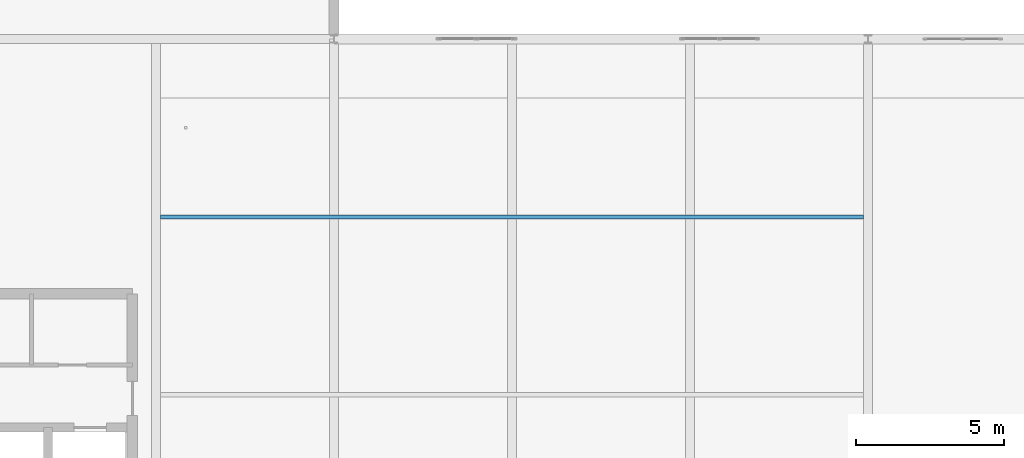
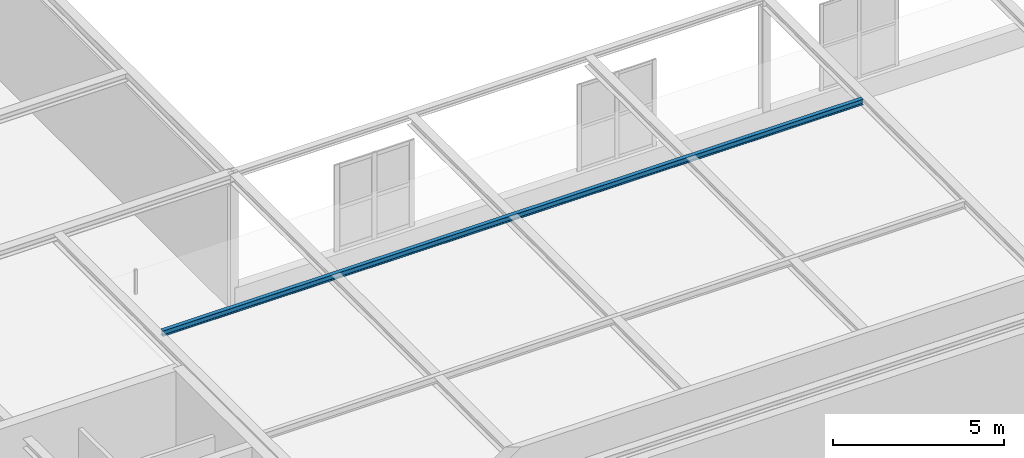
# One storey, part 29 of 97: 1 beam.
"""IFC4 building model written with IfcOpenShell, lengths in metres."""

from ifc_helpers import new_model, si_unit, derived_unit, direction, frame, origin, origin_2d, place, context, subcontext, project, spatial, i_section, extrude, material, material_profile, profile_set, type_object, element, save


model = new_model("IFC4")

# Units and contexts
model_context = context("Model", 3, precision=1e-05, world=origin(), true_north=direction((0.0, 1.0)))
body_context = subcontext(model_context, "Body", "Model", "MODEL_VIEW")
ifc_project = project(units=[si_unit("LENGTHUNIT", "METRE"), si_unit("AREAUNIT", "SQUARE_METRE"), si_unit("VOLUMEUNIT", "CUBIC_METRE"), si_unit("PLANEANGLEUNIT", "RADIAN"), si_unit("MASSUNIT", "GRAM", prefix="KILO"), derived_unit("THERMALTRANSMITTANCEUNIT", [(si_unit("POWERUNIT", "WATT"), 1), (si_unit("LENGTHUNIT", "METRE"), -2), (si_unit("THERMODYNAMICTEMPERATUREUNIT", "KELVIN"), -1)])], contexts=[model_context])

# Site, building, storey
site_placement = place(None, origin())
site = spatial("IfcSite", under=ifc_project, at=site_placement, CompositionType="ELEMENT")
building_placement = place(site_placement, origin())
building = spatial("IfcBuilding", under=site, at=building_placement, Name="Almenara Railside Exhibition Hall", CompositionType="ELEMENT")
storey_placement = place(building_placement, frame((0.0, 0.0, 10.800048828125)))
storey = spatial("IfcBuildingStorey", under=building, at=storey_placement, Name="L02", CompositionType="ELEMENT", Elevation=10.800048828125)

# Beam
ifc_material = material(Name="Structural steel S355JR", Category="steel")
ifc_material_profile = material_profile(ifc_material, i_section(OverallWidth=0.13330078125, OverallDepth=0.203125, WebThickness=0.005615234375, FlangeThickness=0.0078125, FilletRadius=0.007568359375, at=origin_2d()), Name="UB 203x133x25")
ifc_profile_set = profile_set([ifc_material_profile], Name="Structural steel S355JR")
beam_type = type_object("IfcBeamType", Name="Steel Skylight Kerb Beam UB 203x133x25 S355JR", PredefinedType="SPANDREL", material=ifc_profile_set)
beam_placement = place(storey_placement, frame((78.14990234375, 48.0, 4.6943359375), z_axis=(1.0, 0.0, 0.0), x_axis=(0.0, 1.0, 0.0)))
element("IfcBeam", 1, at=beam_placement, inside=storey, type_object=beam_type, Name="Beam 0958", PredefinedType="SPANDREL", context=body_context, shape_type="SweptSolid", body=[
    extrude(i_section(OverallWidth=0.13330078125, OverallDepth=0.203125, WebThickness=0.005615234375, FlangeThickness=0.0078125, FilletRadius=0.007568359375, at=origin_2d()), origin(), (0.0, 0.0, 1.0), 23.7001953125),
])

save(model, "model.ifc")
